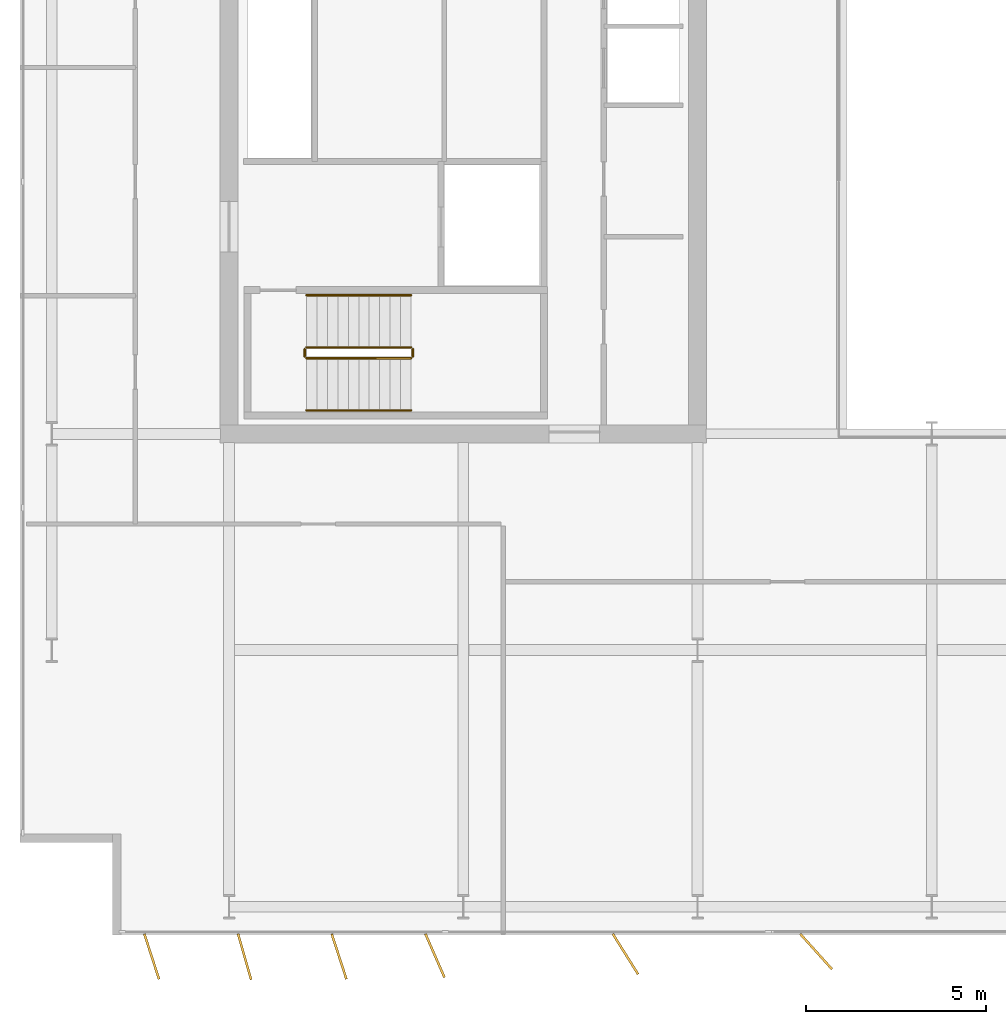
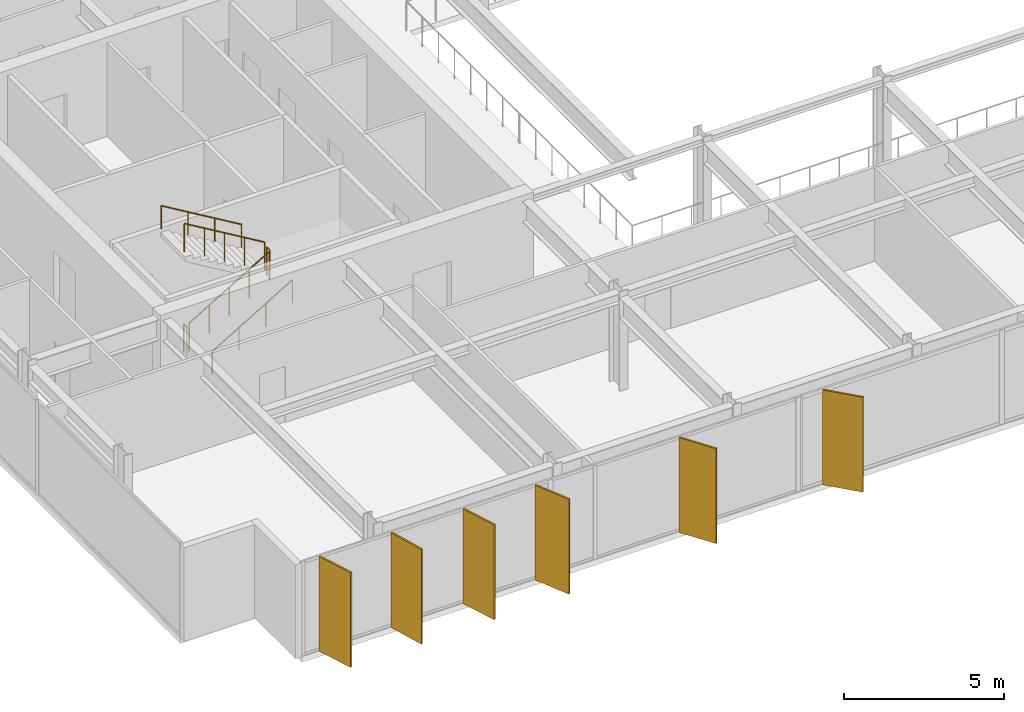
# One storey, part 16 of 19: 6 railings, 6 shading devices.
"""IFC4 building model written with IfcOpenShell, lengths in metres."""

from ifc_helpers import new_model, si_unit, direction, frame, origin, origin_2d, place, context, subcontext, project, spatial, rectangle, circle, extrude, material, layer, layer_set, type_object, element, save


model = new_model("IFC4")

# Units and contexts
model_context = context("Model", 3, precision=1e-05, world=origin(), true_north=direction((0.0, 1.0)))
body_context = subcontext(model_context, "Body", "Model", "MODEL_VIEW")
ifc_project = project(units=[si_unit("LENGTHUNIT", "METRE"), si_unit("AREAUNIT", "SQUARE_METRE"), si_unit("VOLUMEUNIT", "CUBIC_METRE"), si_unit("PLANEANGLEUNIT", "RADIAN"), si_unit("MASSUNIT", "GRAM", prefix="KILO")], contexts=[model_context])

# Site, building, storey
site_placement = place(None, origin())
site = spatial("IfcSite", under=ifc_project, at=site_placement, CompositionType="ELEMENT")
building_placement = place(site_placement, origin())
building = spatial("IfcBuilding", under=site, at=building_placement, Name="Putna Gate Headquarters", CompositionType="ELEMENT")
storey_placement = place(building_placement, frame((0.0, 0.0, 259.39990234375)))
storey = spatial("IfcBuildingStorey", under=building, at=storey_placement, Name="L65", CompositionType="ELEMENT", Elevation=259.39990234375)

# Railings
ifc_material_1 = material(Name="Powder-coated steel stair guardrail", Category="steel")
railing_type_1 = type_object("IfcRailingType", Name="RAIL-STAIR-GUARD-1100", PredefinedType="GUARDRAIL", material=ifc_material_1)
railing_1_placement = place(storey_placement, frame((15.14990234375, 21.10009765625, 0.1728515625)))
element("IfcRailing", 1, at=railing_1_placement, inside=storey, type_object=railing_type_1, Name="L65 ST1 stair guard 1", PredefinedType="GUARDRAIL", context=body_context, shape_type="SweptSolid", body=[
    extrude(circle(Radius=0.02392578125, at=origin_2d()), frame((0.0, 0.0, 1.076171875), z_axis=(0.859160404282, 0.0, 0.51170636083), x_axis=(0.0, 1.0, 0.0)), (0.0, 0.0, 1.0), 3.37548828125),
    extrude(circle(Radius=0.02099609375, at=origin_2d()), origin(), (0.0, 0.0, 1.0), 1.052001953125),
    extrude(circle(Radius=0.02099609375, at=origin_2d()), frame((0.72509765625, 0.0, 0.431884765625)), (0.0, 0.0, 1.0), 1.052001953125),
    extrude(circle(Radius=0.02099609375, at=origin_2d()), frame((1.4501953125, 0.0, 0.86376953125)), (0.0, 0.0, 1.0), 1.052001953125),
    extrude(circle(Radius=0.02099609375, at=origin_2d()), frame((2.175048828125, 0.0, 1.29541015625)), (0.0, 0.0, 1.0), 1.052001953125),
    extrude(circle(Radius=0.02099609375, at=origin_2d()), frame((2.900146484375, 0.0, 1.727294921875)), (0.0, 0.0, 1.0), 1.052001953125),
])
railing_2_placement = place(storey_placement, frame((18.10009765625, 21.14990234375, 1.900146484375)))
element("IfcRailing", 2, at=railing_2_placement, inside=storey, type_object=railing_type_1, Name="L65 ST1 stair guard 2", PredefinedType="GUARDRAIL", context=body_context, shape_type="SweptSolid", body=[
    extrude(circle(Radius=0.02392578125, at=origin_2d()), frame((0.0, 0.0, 1.076171875), z_axis=(0.0, 1.0, 0.0), x_axis=(-1.0, 0.0, 0.0)), (0.0, 0.0, 1.0), 0.2001953125),
    extrude(circle(Radius=0.02099609375, at=origin_2d()), origin(), (0.0, 0.0, 1.0), 1.052001953125),
    extrude(circle(Radius=0.02099609375, at=origin_2d()), frame((0.0, 0.2001953125, 0.0)), (0.0, 0.0, 1.0), 1.052001953125),
])
railing_3_placement = place(storey_placement, frame((18.050048828125, 21.39990234375, 2.07275390625)))
element("IfcRailing", 3, at=railing_3_placement, inside=storey, type_object=railing_type_1, Name="L65 ST1 stair guard 3", PredefinedType="GUARDRAIL", context=body_context, shape_type="SweptSolid", body=[
    extrude(circle(Radius=0.02392578125, at=origin_2d()), frame((0.0, 0.0, 1.076171875), z_axis=(-0.859160404282, 0.0, 0.51170636083), x_axis=(0.0, -1.0, 0.0)), (0.0, 0.0, 1.0), 3.37548828125),
    extrude(circle(Radius=0.02099609375, at=origin_2d()), origin(), (0.0, 0.0, 1.0), 1.052001953125),
    extrude(circle(Radius=0.02099609375, at=origin_2d()), frame((-0.72509765625, 0.0, 0.431884765625)), (0.0, 0.0, 1.0), 1.052001953125),
    extrude(circle(Radius=0.02099609375, at=origin_2d()), frame((-1.4501953125, 0.0, 0.86376953125)), (0.0, 0.0, 1.0), 1.052001953125),
    extrude(circle(Radius=0.02099609375, at=origin_2d()), frame((-2.175048828125, 0.0, 1.29541015625)), (0.0, 0.0, 1.0), 1.052001953125),
    extrude(circle(Radius=0.02099609375, at=origin_2d()), frame((-2.900146484375, 0.0, 1.727294921875)), (0.0, 0.0, 1.0), 1.052001953125),
])
railing_4_placement = place(storey_placement, frame((15.10009765625, 21.14990234375, 0.0)))
element("IfcRailing", 4, at=railing_4_placement, inside=storey, type_object=railing_type_1, Name="L65 ST1 stair guard 4", PredefinedType="GUARDRAIL", context=body_context, shape_type="SweptSolid", body=[
    extrude(circle(Radius=0.02392578125, at=origin_2d()), frame((0.0, 0.0, 1.076171875), z_axis=(0.0, 1.0, 0.0), x_axis=(-1.0, 0.0, 0.0)), (0.0, 0.0, 1.0), 0.2001953125),
    extrude(circle(Radius=0.02099609375, at=origin_2d()), origin(), (0.0, 0.0, 1.0), 1.052001953125),
    extrude(circle(Radius=0.02099609375, at=origin_2d()), frame((0.0, 0.2001953125, 0.0)), (0.0, 0.0, 1.0), 1.052001953125),
])
ifc_material_2 = material(Name="Brushed stainless steel handrail", Category="steel")
railing_type_2 = type_object("IfcRailingType", Name="RAIL-STAIR-HAND-900", PredefinedType="HANDRAIL", material=ifc_material_2)
railing_5_placement = place(storey_placement, frame((15.14990234375, 19.64990234375, 0.1728515625)))
element("IfcRailing", 5, at=railing_5_placement, inside=storey, type_object=railing_type_2, Name="L65 ST1 stair handrail 1", PredefinedType="HANDRAIL", context=body_context, shape_type="SweptSolid", body=[
    extrude(circle(Radius=0.02392578125, at=origin_2d()), frame((0.0, 0.0, 0.8759765625), z_axis=(0.859160404282, 0.0, 0.51170636083), x_axis=(0.0, 1.0, 0.0)), (0.0, 0.0, 1.0), 3.37548828125),
    extrude(circle(Radius=0.02099609375, at=origin_2d()), origin(), (0.0, 0.0, 1.0), 0.851806640625),
    extrude(circle(Radius=0.02099609375, at=origin_2d()), frame((0.966796875, 0.0, 0.57568359375)), (0.0, 0.0, 1.0), 0.851806640625),
    extrude(circle(Radius=0.02099609375, at=origin_2d()), frame((1.933349609375, 0.0, 1.151611328125)), (0.0, 0.0, 1.0), 0.851806640625),
    extrude(circle(Radius=0.02099609375, at=origin_2d()), frame((2.900146484375, 0.0, 1.727294921875)), (0.0, 0.0, 1.0), 0.851806640625),
])
railing_6_placement = place(storey_placement, frame((18.050048828125, 22.85009765625, 2.07275390625)))
element("IfcRailing", 6, at=railing_6_placement, inside=storey, type_object=railing_type_2, Name="L65 ST1 stair handrail 2", PredefinedType="HANDRAIL", context=body_context, shape_type="SweptSolid", body=[
    extrude(circle(Radius=0.02392578125, at=origin_2d()), frame((0.0, 0.0, 0.8759765625), z_axis=(-0.859160404282, 0.0, 0.51170636083), x_axis=(0.0, -1.0, 0.0)), (0.0, 0.0, 1.0), 3.37548828125),
    extrude(circle(Radius=0.02099609375, at=origin_2d()), origin(), (0.0, 0.0, 1.0), 0.851806640625),
    extrude(circle(Radius=0.02099609375, at=origin_2d()), frame((-0.966796875, 0.0, 0.57568359375)), (0.0, 0.0, 1.0), 0.851806640625),
    extrude(circle(Radius=0.02099609375, at=origin_2d()), frame((-1.933349609375, 0.0, 1.151611328125)), (0.0, 0.0, 1.0), 0.851806640625),
    extrude(circle(Radius=0.02099609375, at=origin_2d()), frame((-2.900146484375, 0.0, 1.727294921875)), (0.0, 0.0, 1.0), 0.851806640625),
])

# Shading devices
ifc_material_3 = material(Name="Anodised architectural bronze aluminium fin", Category="aluminium")
ifc_layer = layer(ifc_material_3, 0.06494140625)
ifc_layer_set = layer_set([ifc_layer], Name="Anodised architectural bronze aluminium fin")
shading_device_type = type_object("IfcShadingDeviceType", Name="SHADE-BRONZE-FIN-1320", PredefinedType="USERDEFINED", material=ifc_layer_set)
for number, where, z_axis, x_axis, name in (
    (7, (10.853759765625, 4.497314453125, -0.019775390625), (0.0, 0.0, 1.0), (0.308684994204, -0.951164325631, 0.0), "L65 Bronze Vertical Shading Fin S1"),
    (8, (13.431884765625, 4.490478515625, -0.019775390625), (0.0, 0.0, 1.0), (0.275637355817, -0.961261695938, 0.0), "L65 Bronze Vertical Shading Fin S2"),
    (9, (16.0537109375, 4.497314453125, -0.019775390625), (0.0, 0.0, 1.0), (0.308684994204, -0.951164325631, 0.0), "L65 Bronze Vertical Shading Fin S3"),
    (10, (18.71435546875, 4.520263671875, -0.019775390625), (0.0, 0.0, 1.0), (0.400668879095, -0.916222925562, 0.0), "L65 Bronze Vertical Shading Fin S4"),
    (11, (24.000244140625, 4.565673828125, -0.019775390625), (0.0, 0.0, 1.0), (0.530659123936, -0.847585331506, 0.0), "L65 Bronze Vertical Shading Fin S5"),
    (12, (29.29150390625, 4.634521484375, -0.019775390625), (0.0, 0.0, 1.0), (0.669130606359, -0.743144825477, 0.0), "L65 Bronze Vertical Shading Fin S6"),
):
    element("IfcShadingDevice", number, at=place(storey_placement, frame(where, z_axis=z_axis, x_axis=x_axis)), inside=storey, type_object=shading_device_type, Name=name, ObjectType="FIN", PredefinedType="USERDEFINED", context=body_context, shape_type="SweptSolid", body=[
        extrude(rectangle(XDim=1.320068359375, YDim=0.06494140625, at=origin_2d()), origin(), (0.0, 0.0, 1.0), 3.6279296875),
    ])

save(model, "model.ifc")
